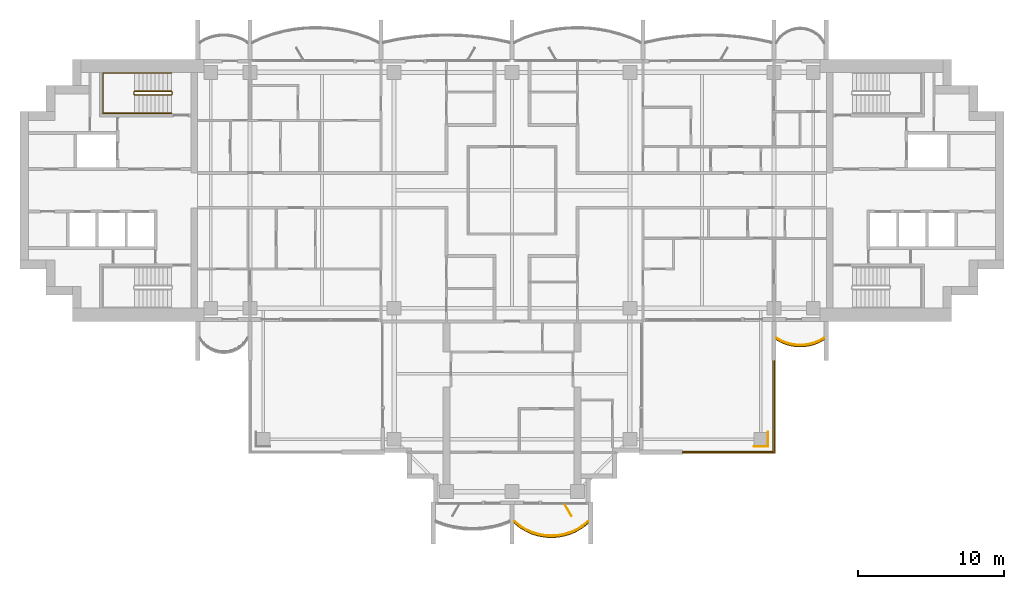
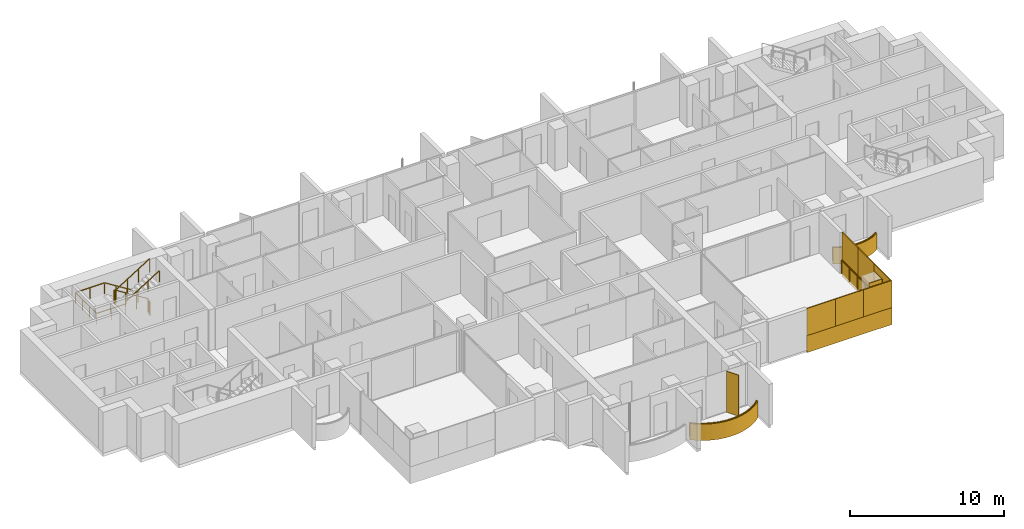
# One storey, part 16 of 18: 11 coverings, 5 railings, 1 shading device.
"""IFC4 building model written with IfcOpenShell, lengths in metres."""

from ifc_helpers import new_model, si_unit, direction, frame, origin, origin_2d, place, context, subcontext, project, spatial, polyline, rectangle, outline, extrude, material, layer, layer_set, type_object, element, save


model = new_model("IFC4")

# Units and contexts
model_context = context("Model", 3, precision=1e-05, world=origin(), true_north=direction((0.0, 1.0)))
body_context = subcontext(model_context, "Body", "Model", "MODEL_VIEW")
ifc_project = project(units=[si_unit("LENGTHUNIT", "METRE"), si_unit("AREAUNIT", "SQUARE_METRE"), si_unit("VOLUMEUNIT", "CUBIC_METRE"), si_unit("PLANEANGLEUNIT", "RADIAN"), si_unit("MASSUNIT", "GRAM", prefix="KILO")], contexts=[model_context])

# Site, building, storey
site_placement = place(None, origin())
site = spatial("IfcSite", under=ifc_project, at=site_placement, CompositionType="ELEMENT")
building_placement = place(site_placement, origin())
building = spatial("IfcBuilding", under=site, at=building_placement, Name="Perihelion Cross Residences", CompositionType="ELEMENT")
storey_placement = place(building_placement, frame((0.0, 0.0, 173.60009765625)))
storey = spatial("IfcBuildingStorey", under=building, at=storey_placement, Name="L42", CompositionType="ELEMENT", Elevation=173.60009765625)

# Coverings
ifc_material_1 = material(Name="Bronze anodised aluminium", Category="aluminium")
ifc_layer_1 = layer(ifc_material_1, 0.070068359375)
ifc_layer_set_1 = layer_set([ifc_layer_1], Name="Balcony fascia 1300")
covering_type_1 = type_object("IfcCoveringType", Name="Balcony fascia 1300", PredefinedType="CLADDING", material=ifc_layer_set_1)
covering_1_placement = place(storey_placement, frame((0.0, 0.0, -0.2001953125)))
element("IfcCovering", 1, at=covering_1_placement, inside=storey, type_object=covering_type_1, Name="Fascia BF1 L42 south tip south bay 2", PredefinedType="CLADDING", context=body_context, shape_type="SweptSolid", body=[
    extrude(outline(polyline([(0.53515625, -23.197509765625), (0.96826171875, -23.455078125), (1.401123046875, -23.642578125), (1.833984375, -23.7705078125), (2.26708984375, -23.845458984375), (2.699951171875, -23.8701171875), (3.133056640625, -23.845458984375), (3.56591796875, -23.7705078125), (3.998779296875, -23.642578125), (4.431884765625, -23.455078125), (4.86474609375, -23.197509765625), (5.25, -22.8896484375), (5.25, -22.800048828125), (4.824951171875, -23.14013671875), (4.39990234375, -23.392578125), (3.97509765625, -23.57666015625), (3.550048828125, -23.702392578125), (3.125, -23.77587890625), (2.699951171875, -23.800048828125), (2.27490234375, -23.77587890625), (1.85009765625, -23.702392578125), (1.425048828125, -23.57666015625), (1.0, -23.392578125), (0.574951171875, -23.14013671875), (0.14990234375, -22.800048828125), (0.14990234375, -22.8896484375), (0.53515625, -23.197509765625)])), origin(), (0.0, 0.0, 1.0), 1.300048828125),
])
covering_2_placement = place(storey_placement, frame((0.0, 0.0, -0.2001953125)))
element("IfcCovering", 2, at=covering_2_placement, inside=storey, type_object=covering_type_1, Name="Fascia BF1 L42 east side south bay 2", PredefinedType="CLADDING", context=body_context, shape_type="SweptSolid", body=[
    extrude(outline(polyline([(18.486328125, -10.4716796875), (18.861572265625, -10.62158203125), (19.237060546875, -10.717529296875), (19.6123046875, -10.76416015625), (19.987548828125, -10.76416015625), (20.363037109375, -10.717529296875), (20.73828125, -10.62158203125), (21.11376953125, -10.4716796875), (21.449951171875, -10.280517578125), (21.449951171875, -10.199951171875), (21.083251953125, -10.40869140625), (20.716552734375, -10.55517578125), (20.35009765625, -10.648681640625), (19.9833984375, -10.6943359375), (19.61669921875, -10.6943359375), (19.25, -10.648681640625), (18.88330078125, -10.55517578125), (18.5166015625, -10.40869140625), (18.14990234375, -10.199951171875), (18.14990234375, -10.280517578125), (18.486328125, -10.4716796875)])), origin(), (0.0, 0.0, 1.0), 1.300048828125),
])

# Railings
ifc_material_2 = material(Name="Bronze anodised aluminium", Category="aluminium")
railing_type_1 = type_object("IfcRailingType", Name="Balcony guard 1100", PredefinedType="GUARDRAIL", material=ifc_material_2)
railing_1_placement = place(storey_placement, frame((0.175048828125, -22.739990234375, 0.0)))
element("IfcRailing", 3, at=railing_1_placement, inside=storey, type_object=railing_type_1, Name="Guard GU1 L42 south tip south bay 2 balcony", PredefinedType="GUARDRAIL", context=body_context, shape_type="SweptSolid", body=[
    extrude(rectangle(XDim=0.048095703125, YDim=0.048095703125, at=origin_2d()), frame((0.0, 0.0, 1.076171875), z_axis=(0.761778647315, -0.647837396648, 0.0), x_axis=(0.647837396648, 0.761778647315, 0.0)), (0.0, 0.0, 1.0), 0.52490234375),
    extrude(rectangle(XDim=0.048095703125, YDim=0.048095703125, at=origin_2d()), frame((0.39990234375, -0.340087890625, 1.076171875), z_axis=(0.859576918062, -0.511006381501, 0.0), x_axis=(0.511006381501, 0.859576918062, 0.0)), (0.0, 0.0, 1.0), 0.494384765625),
    extrude(rectangle(XDim=0.048095703125, YDim=0.048095703125, at=origin_2d()), frame((0.824951171875, -0.5927734375, 1.076171875), z_axis=(0.917831080218, -0.396971167952, 0.0), x_axis=(0.396971167952, 0.917831080218, 0.0)), (0.0, 0.0, 1.0), 0.463134765625),
    extrude(rectangle(XDim=0.048095703125, YDim=0.048095703125, at=origin_2d()), frame((1.25, -0.776611328125, 1.076171875), z_axis=(0.958925815697, -0.283656975924, 0.0), x_axis=(0.283656975924, 0.958925815697, 0.0)), (0.0, 0.0, 1.0), 0.443359375),
    extrude(rectangle(XDim=0.048095703125, YDim=0.048095703125, at=origin_2d()), frame((1.675048828125, -0.90234375, 1.076171875), z_axis=(0.985365142702, -0.170456843651, 0.0), x_axis=(0.170456843651, 0.985365142702, 0.0)), (0.0, 0.0, 1.0), 0.43115234375),
    extrude(rectangle(XDim=0.048095703125, YDim=0.048095703125, at=origin_2d()), frame((2.099853515625, -0.975830078125, 1.076171875), z_axis=(0.998387160354, -0.056772159032, 0.0), x_axis=(0.056772159032, 0.998387160354, 0.0)), (0.0, 0.0, 1.0), 0.42578125),
    extrude(rectangle(XDim=0.048095703125, YDim=0.048095703125, at=origin_2d()), frame((2.52490234375, -1.0, 1.076171875), z_axis=(0.998387160354, 0.056772159032, 0.0), x_axis=(-0.056772159032, 0.998387160354, 0.0)), (0.0, 0.0, 1.0), 0.42578125),
    extrude(rectangle(XDim=0.048095703125, YDim=0.048095703125, at=origin_2d()), frame((2.949951171875, -0.975830078125, 1.076171875), z_axis=(0.985381583142, 0.17036177859, 0.0), x_axis=(-0.17036177859, 0.985381583142, 0.0)), (0.0, 0.0, 1.0), 0.431396484375),
    extrude(rectangle(XDim=0.048095703125, YDim=0.048095703125, at=origin_2d()), frame((3.375, -0.90234375, 1.076171875), z_axis=(0.958925815697, 0.283656975924, 0.0), x_axis=(-0.283656975924, 0.958925815697, 0.0)), (0.0, 0.0, 1.0), 0.443359375),
    extrude(rectangle(XDim=0.048095703125, YDim=0.048095703125, at=origin_2d()), frame((3.800048828125, -0.776611328125, 1.076171875), z_axis=(0.917747942671, 0.397163333811, 0.0), x_axis=(-0.397163333811, 0.917747942671, 0.0)), (0.0, 0.0, 1.0), 0.462890625),
    extrude(rectangle(XDim=0.048095703125, YDim=0.048095703125, at=origin_2d()), frame((4.224853515625, -0.5927734375, 1.076171875), z_axis=(0.859576918062, 0.511006381501, 0.0), x_axis=(-0.511006381501, 0.859576918062, 0.0)), (0.0, 0.0, 1.0), 0.494384765625),
    extrude(rectangle(XDim=0.048095703125, YDim=0.048095703125, at=origin_2d()), frame((4.64990234375, -0.340087890625, 1.076171875), z_axis=(0.761973728849, 0.647607934281, 0.0), x_axis=(-0.647607934281, 0.761973728849, 0.0)), (0.0, 0.0, 1.0), 0.525146484375),
    extrude(rectangle(XDim=0.0419921875, YDim=0.0419921875, at=origin_2d()), origin(), (0.0, 0.0, 1.0), 1.052001953125),
    extrude(rectangle(XDim=0.0419921875, YDim=0.0419921875, at=origin_2d()), frame((0.39990234375, -0.340087890625, 0.0)), (0.0, 0.0, 1.0), 1.052001953125),
    extrude(rectangle(XDim=0.0419921875, YDim=0.0419921875, at=origin_2d()), frame((0.824951171875, -0.5927734375, 0.0)), (0.0, 0.0, 1.0), 1.052001953125),
    extrude(rectangle(XDim=0.0419921875, YDim=0.0419921875, at=origin_2d()), frame((1.25, -0.776611328125, 0.0)), (0.0, 0.0, 1.0), 1.052001953125),
    extrude(rectangle(XDim=0.0419921875, YDim=0.0419921875, at=origin_2d()), frame((1.675048828125, -0.90234375, 0.0)), (0.0, 0.0, 1.0), 1.052001953125),
    extrude(rectangle(XDim=0.0419921875, YDim=0.0419921875, at=origin_2d()), frame((2.099853515625, -0.975830078125, 0.0)), (0.0, 0.0, 1.0), 1.052001953125),
    extrude(rectangle(XDim=0.0419921875, YDim=0.0419921875, at=origin_2d()), frame((2.52490234375, -1.0, 0.0)), (0.0, 0.0, 1.0), 1.052001953125),
    extrude(rectangle(XDim=0.0419921875, YDim=0.0419921875, at=origin_2d()), frame((2.949951171875, -0.975830078125, 0.0)), (0.0, 0.0, 1.0), 1.052001953125),
    extrude(rectangle(XDim=0.0419921875, YDim=0.0419921875, at=origin_2d()), frame((3.375, -0.90234375, 0.0)), (0.0, 0.0, 1.0), 1.052001953125),
    extrude(rectangle(XDim=0.0419921875, YDim=0.0419921875, at=origin_2d()), frame((3.800048828125, -0.776611328125, 0.0)), (0.0, 0.0, 1.0), 1.052001953125),
    extrude(rectangle(XDim=0.0419921875, YDim=0.0419921875, at=origin_2d()), frame((4.224853515625, -0.5927734375, 0.0)), (0.0, 0.0, 1.0), 1.052001953125),
    extrude(rectangle(XDim=0.0419921875, YDim=0.0419921875, at=origin_2d()), frame((4.64990234375, -0.340087890625, 0.0)), (0.0, 0.0, 1.0), 1.052001953125),
    extrude(rectangle(XDim=0.0419921875, YDim=0.0419921875, at=origin_2d()), frame((5.050048828125, 0.0, 0.0)), (0.0, 0.0, 1.0), 1.052001953125),
])
railing_2_placement = place(storey_placement, frame((18.175048828125, -10.139892578125, 0.0)))
element("IfcRailing", 4, at=railing_2_placement, inside=storey, type_object=railing_type_1, Name="Guard GU1 L42 east side south bay 2 balcony", PredefinedType="GUARDRAIL", context=body_context, shape_type="SweptSolid", body=[
    extrude(rectangle(XDim=0.048095703125, YDim=0.048095703125, at=origin_2d()), frame((0.0, 0.0, 1.076171875), z_axis=(0.853266756821, -0.52147467983, 0.0), x_axis=(0.52147467983, 0.853266756821, 0.0)), (0.0, 0.0, 1.0), 0.400390625),
    extrude(rectangle(XDim=0.048095703125, YDim=0.048095703125, at=origin_2d()), frame((0.341552734375, -0.208740234375, 1.076171875), z_axis=(0.928647151248, -0.37096424151, 0.0), x_axis=(0.37096424151, 0.928647151248, 0.0)), (0.0, 0.0, 1.0), 0.394775390625),
    extrude(rectangle(XDim=0.048095703125, YDim=0.048095703125, at=origin_2d()), frame((0.708251953125, -0.355224609375, 1.076171875), z_axis=(0.968993337782, -0.247086849781, 0.0), x_axis=(0.247086849781, 0.968993337782, 0.0)), (0.0, 0.0, 1.0), 0.37841796875),
    extrude(rectangle(XDim=0.048095703125, YDim=0.048095703125, at=origin_2d()), frame((1.074951171875, -0.44873046875, 1.076171875), z_axis=(0.992338742457, -0.123546834114, 0.0), x_axis=(0.123546834114, 0.992338742457, 0.0)), (0.0, 0.0, 1.0), 0.36962890625),
    extrude(rectangle(XDim=0.048095703125, YDim=0.048095703125, at=origin_2d()), frame((1.441650390625, -0.494384765625, 1.076171875), z_axis=(1.0, 0.0, 0.0), x_axis=(0.0, 1.0, 0.0)), (0.0, 0.0, 1.0), 0.36669921875),
    extrude(rectangle(XDim=0.048095703125, YDim=0.048095703125, at=origin_2d()), frame((1.808349609375, -0.494384765625, 1.076171875), z_axis=(0.992338742457, 0.123546834114, 0.0), x_axis=(-0.123546834114, 0.992338742457, 0.0)), (0.0, 0.0, 1.0), 0.36962890625),
    extrude(rectangle(XDim=0.048095703125, YDim=0.048095703125, at=origin_2d()), frame((2.175048828125, -0.44873046875, 1.076171875), z_axis=(0.968953914071, 0.247241405123, 0.0), x_axis=(-0.247241405123, 0.968953914071, 0.0)), (0.0, 0.0, 1.0), 0.378173828125),
    extrude(rectangle(XDim=0.048095703125, YDim=0.048095703125, at=origin_2d()), frame((2.54150390625, -0.355224609375, 1.076171875), z_axis=(0.928647151248, 0.37096424151, 0.0), x_axis=(-0.37096424151, 0.928647151248, 0.0)), (0.0, 0.0, 1.0), 0.394775390625),
    extrude(rectangle(XDim=0.048095703125, YDim=0.048095703125, at=origin_2d()), frame((2.908203125, -0.208740234375, 1.076171875), z_axis=(0.853432484338, 0.521203410078, 0.0), x_axis=(-0.521203410078, 0.853432484338, 0.0)), (0.0, 0.0, 1.0), 0.400390625),
    extrude(rectangle(XDim=0.0419921875, YDim=0.0419921875, at=origin_2d()), origin(), (0.0, 0.0, 1.0), 1.052001953125),
    extrude(rectangle(XDim=0.0419921875, YDim=0.0419921875, at=origin_2d()), frame((0.341552734375, -0.208740234375, 0.0)), (0.0, 0.0, 1.0), 1.052001953125),
    extrude(rectangle(XDim=0.0419921875, YDim=0.0419921875, at=origin_2d()), frame((0.708251953125, -0.355224609375, 0.0)), (0.0, 0.0, 1.0), 1.052001953125),
    extrude(rectangle(XDim=0.0419921875, YDim=0.0419921875, at=origin_2d()), frame((1.074951171875, -0.44873046875, 0.0)), (0.0, 0.0, 1.0), 1.052001953125),
    extrude(rectangle(XDim=0.0419921875, YDim=0.0419921875, at=origin_2d()), frame((1.441650390625, -0.494384765625, 0.0)), (0.0, 0.0, 1.0), 1.052001953125),
    extrude(rectangle(XDim=0.0419921875, YDim=0.0419921875, at=origin_2d()), frame((1.808349609375, -0.494384765625, 0.0)), (0.0, 0.0, 1.0), 1.052001953125),
    extrude(rectangle(XDim=0.0419921875, YDim=0.0419921875, at=origin_2d()), frame((2.175048828125, -0.44873046875, 0.0)), (0.0, 0.0, 1.0), 1.052001953125),
    extrude(rectangle(XDim=0.0419921875, YDim=0.0419921875, at=origin_2d()), frame((2.54150390625, -0.355224609375, 0.0)), (0.0, 0.0, 1.0), 1.052001953125),
    extrude(rectangle(XDim=0.0419921875, YDim=0.0419921875, at=origin_2d()), frame((2.908203125, -0.208740234375, 0.0)), (0.0, 0.0, 1.0), 1.052001953125),
    extrude(rectangle(XDim=0.0419921875, YDim=0.0419921875, at=origin_2d()), frame((3.25, 0.0, 0.0)), (0.0, 0.0, 1.0), 1.052001953125),
])
railing_3_placement = place(storey_placement, frame((17.93994140625, -11.739990234375, 0.0)))
element("IfcRailing", 5, at=railing_3_placement, inside=storey, type_object=railing_type_1, Name="Guard GU1 L42 pocket south-east 1", PredefinedType="GUARDRAIL", context=body_context, shape_type="SweptSolid", body=[
    extrude(rectangle(XDim=0.048095703125, YDim=0.048095703125, at=origin_2d()), frame((0.0, 0.0, 1.076171875), z_axis=(0.0, -1.0, 0.0), x_axis=(1.0, 0.0, 0.0)), (0.0, 0.0, 1.0), 6.199951171875),
    extrude(rectangle(XDim=0.048095703125, YDim=0.048095703125, at=origin_2d()), frame((0.0, -6.199951171875, 1.076171875), z_axis=(-1.0, 0.0, 0.0), x_axis=(0.0, -1.0, 0.0)), (0.0, 0.0, 1.0), 6.199951171875),
    extrude(rectangle(XDim=0.0419921875, YDim=0.0419921875, at=origin_2d()), origin(), (0.0, 0.0, 1.0), 1.052001953125),
    extrude(rectangle(XDim=0.0419921875, YDim=0.0419921875, at=origin_2d()), frame((0.0, -1.033203125, 0.0)), (0.0, 0.0, 1.0), 1.052001953125),
    extrude(rectangle(XDim=0.0419921875, YDim=0.0419921875, at=origin_2d()), frame((0.0, -2.066650390625, 0.0)), (0.0, 0.0, 1.0), 1.052001953125),
    extrude(rectangle(XDim=0.0419921875, YDim=0.0419921875, at=origin_2d()), frame((0.0, -3.10009765625, 0.0)), (0.0, 0.0, 1.0), 1.052001953125),
    extrude(rectangle(XDim=0.0419921875, YDim=0.0419921875, at=origin_2d()), frame((0.0, -4.13330078125, 0.0)), (0.0, 0.0, 1.0), 1.052001953125),
    extrude(rectangle(XDim=0.0419921875, YDim=0.0419921875, at=origin_2d()), frame((0.0, -5.16650390625, 0.0)), (0.0, 0.0, 1.0), 1.052001953125),
    extrude(rectangle(XDim=0.0419921875, YDim=0.0419921875, at=origin_2d()), frame((0.0, -6.199951171875, 0.0)), (0.0, 0.0, 1.0), 1.052001953125),
    extrude(rectangle(XDim=0.0419921875, YDim=0.0419921875, at=origin_2d()), frame((-1.033203125, -6.199951171875, 0.0)), (0.0, 0.0, 1.0), 1.052001953125),
    extrude(rectangle(XDim=0.0419921875, YDim=0.0419921875, at=origin_2d()), frame((-2.066650390625, -6.199951171875, 0.0)), (0.0, 0.0, 1.0), 1.052001953125),
    extrude(rectangle(XDim=0.0419921875, YDim=0.0419921875, at=origin_2d()), frame((-3.10009765625, -6.199951171875, 0.0)), (0.0, 0.0, 1.0), 1.052001953125),
    extrude(rectangle(XDim=0.0419921875, YDim=0.0419921875, at=origin_2d()), frame((-4.13330078125, -6.199951171875, 0.0)), (0.0, 0.0, 1.0), 1.052001953125),
    extrude(rectangle(XDim=0.0419921875, YDim=0.0419921875, at=origin_2d()), frame((-5.16650390625, -6.199951171875, 0.0)), (0.0, 0.0, 1.0), 1.052001953125),
    extrude(rectangle(XDim=0.0419921875, YDim=0.0419921875, at=origin_2d()), frame((-6.199951171875, -6.199951171875, 0.0)), (0.0, 0.0, 1.0), 1.052001953125),
])

# Coverings
ifc_material_3 = material(Name="Bronze anodised aluminium", Category="aluminium")
ifc_layer_2 = layer(ifc_material_3, 0.0400390625)
ifc_layer_set_2 = layer_set([ifc_layer_2], Name="Bronze column casing 40")
covering_type_2 = type_object("IfcCoveringType", Name="Bronze column casing 40", PredefinedType="CLADDING", material=ifc_layer_set_2)
covering_3_placement = place(storey_placement, frame((17.594970703125, -17.10009765625, -0.25), z_axis=(0.0, 0.0, 1.0), x_axis=(1.0, 0.0, 0.0)))
element("IfcCovering", 6, at=covering_3_placement, inside=storey, type_object=covering_type_2, Name="Cladding CC1 L42 casing east-west no. 2", PredefinedType="CLADDING", context=body_context, shape_type="SweptSolid", body=[
    extrude(rectangle(XDim=0.0400390625, YDim=1.030029296875, at=origin_2d()), origin(), (0.0, 0.0, 1.0), 3.5),
])
covering_4_placement = place(storey_placement, frame((17.10009765625, -17.594970703125, -0.25), z_axis=(0.0, 0.0, 1.0), x_axis=(1.0, 0.0, 0.0)))
element("IfcCovering", 7, at=covering_4_placement, inside=storey, type_object=covering_type_2, Name="Cladding CC1 L42 casing north-south no. 2", PredefinedType="CLADDING", context=body_context, shape_type="SweptSolid", body=[
    extrude(rectangle(XDim=0.949951171875, YDim=0.0400390625, at=origin_2d()), origin(), (0.0, 0.0, 1.0), 3.5),
])

# Shading device
ifc_material_4 = material(Name="Bronze anodised aluminium", Category="aluminium")
ifc_layer_3 = layer(ifc_material_4, 0.050048828125)
ifc_layer_set_3 = layer_set([ifc_layer_3], Name="Bronze fin 900")
shading_device_type = type_object("IfcShadingDeviceType", Name="Bronze fin 900", PredefinedType="USERDEFINED", material=ifc_layer_set_3)
shading_device_placement = place(storey_placement, frame((3.862548828125, -21.98974609375, 0.0), z_axis=(0.0, 0.0, 1.0), x_axis=(0.5, -0.866025403784, 0.0)))
element("IfcShadingDevice", 8, at=shading_device_placement, inside=storey, type_object=shading_device_type, Name="Fin FN1 L42 south tip south bay 2", ObjectType="FIN", PredefinedType="USERDEFINED", context=body_context, shape_type="SweptSolid", body=[
    extrude(rectangle(XDim=0.89990234375, YDim=0.050048828125, at=origin_2d()), origin(), (0.0, 0.0, 1.0), 3.25),
])

# Coverings
ifc_material_5 = material(Name="Bronze anodised aluminium", Category="aluminium")
ifc_layer_4 = layer(ifc_material_5, 0.070068359375)
ifc_layer_set_4 = layer_set([ifc_layer_4], Name="Pocket fascia 1350")
covering_type_3 = type_object("IfcCoveringType", Name="Pocket fascia 1350", PredefinedType="CLADDING", material=ifc_layer_set_4)
covering_5_placement = place(storey_placement, frame((0.0, 0.0, -0.25)))
element("IfcCovering", 9, at=covering_5_placement, inside=storey, type_object=covering_type_3, Name="Fascia BF2 L42 pocket south-east 3", PredefinedType="CLADDING", context=body_context, shape_type="SweptSolid", body=[
    extrude(outline(polyline([(18.070068359375, -18.070068359375), (18.070068359375, -11.699951171875), (18.0, -11.699951171875), (18.0, -18.0), (11.699951171875, -18.0), (11.699951171875, -18.070068359375), (18.070068359375, -18.070068359375)])), origin(), (0.0, 0.0, 1.0), 1.349853515625),
])
ifc_material_6 = material(Name="Bronze perforated aluminium", Category="aluminium")
ifc_layer_5 = layer(ifc_material_6, 0.070068359375)
ifc_layer_set_5 = layer_set([ifc_layer_5], Name="Pocket solar screen, bronze perforated")
covering_type_4 = type_object("IfcCoveringType", Name="Pocket solar screen, bronze perforated", PredefinedType="CLADDING", material=ifc_layer_set_5)
covering_6_placement = place(storey_placement, frame((0.0, 0.0, 1.099853515625)))
element("IfcCovering", 10, at=covering_6_placement, inside=storey, type_object=covering_type_4, Name="Solar screen PS1 L42 pocket south-east no. 1", PredefinedType="CLADDING", context=body_context, shape_type="SweptSolid", body=[
    extrude(outline(polyline([(18.070068359375, -18.0), (18.070068359375, -15.89990234375), (18.0, -15.89990234375), (18.0, -18.0), (18.070068359375, -18.0)])), origin(), (0.0, 0.0, 1.0), 2.150146484375),
])
covering_7_placement = place(storey_placement, frame((0.0, 0.0, 1.099853515625)))
element("IfcCovering", 11, at=covering_7_placement, inside=storey, type_object=covering_type_4, Name="Solar screen PS1 L42 pocket south-east no. 2", PredefinedType="CLADDING", context=body_context, shape_type="SweptSolid", body=[
    extrude(outline(polyline([(18.070068359375, -15.89990234375), (18.070068359375, -13.800048828125), (18.0, -13.800048828125), (18.0, -15.89990234375), (18.070068359375, -15.89990234375)])), origin(), (0.0, 0.0, 1.0), 2.150146484375),
])
covering_8_placement = place(storey_placement, frame((0.0, 0.0, 1.099853515625)))
element("IfcCovering", 12, at=covering_8_placement, inside=storey, type_object=covering_type_4, Name="Solar screen PS1 L42 pocket south-east no. 3", PredefinedType="CLADDING", context=body_context, shape_type="SweptSolid", body=[
    extrude(outline(polyline([(18.070068359375, -13.800048828125), (18.070068359375, -11.699951171875), (18.0, -11.699951171875), (18.0, -13.800048828125), (18.070068359375, -13.800048828125)])), origin(), (0.0, 0.0, 1.0), 2.150146484375),
])
covering_9_placement = place(storey_placement, frame((0.0, 0.0, 1.099853515625)))
element("IfcCovering", 13, at=covering_9_placement, inside=storey, type_object=covering_type_4, Name="Solar screen PS1 L42 pocket south-east no. 4", PredefinedType="CLADDING", context=body_context, shape_type="SweptSolid", body=[
    extrude(outline(polyline([(13.8232421875, -18.070068359375), (13.8232421875, -18.0), (11.699951171875, -18.0), (11.699951171875, -18.070068359375), (13.8232421875, -18.070068359375)])), origin(), (0.0, 0.0, 1.0), 2.150146484375),
])
covering_10_placement = place(storey_placement, frame((0.0, 0.0, 1.099853515625)))
element("IfcCovering", 14, at=covering_10_placement, inside=storey, type_object=covering_type_4, Name="Solar screen PS1 L42 pocket south-east no. 5", PredefinedType="CLADDING", context=body_context, shape_type="SweptSolid", body=[
    extrude(outline(polyline([(15.94677734375, -18.070068359375), (15.94677734375, -18.0), (13.8232421875, -18.0), (13.8232421875, -18.070068359375), (15.94677734375, -18.070068359375)])), origin(), (0.0, 0.0, 1.0), 2.150146484375),
])
covering_11_placement = place(storey_placement, frame((0.0, 0.0, 1.099853515625)))
element("IfcCovering", 15, at=covering_11_placement, inside=storey, type_object=covering_type_4, Name="Solar screen PS1 L42 pocket south-east no. 6", PredefinedType="CLADDING", context=body_context, shape_type="SweptSolid", body=[
    extrude(outline(polyline([(18.070068359375, -18.070068359375), (18.070068359375, -18.0), (15.94677734375, -18.0), (15.94677734375, -18.070068359375), (18.070068359375, -18.070068359375)])), origin(), (0.0, 0.0, 1.0), 2.150146484375),
])

# Railings
ifc_material_7 = material(Name="Stainless steel", Category="steel")
railing_type_2 = type_object("IfcRailingType", Name="Stair guard 1100", PredefinedType="GUARDRAIL", material=ifc_material_7)
railing_4_placement = place(storey_placement, frame((-23.35009765625, 6.60009765625, 0.0)))
element("IfcRailing", 16, at=railing_4_placement, inside=storey, type_object=railing_type_2, Name="L42 ST-W1 stair guard 1", PredefinedType="GUARDRAIL", context=body_context, shape_type="SweptSolid", body=[
    extrude(rectangle(XDim=0.048095703125, YDim=0.048095703125, at=origin_2d()), frame((0.0, 0.0, 1.076171875), z_axis=(0.0, 1.0, 0.0), x_axis=(-1.0, 0.0, 0.0)), (0.0, 0.0, 1.0), 0.14990234375),
    extrude(rectangle(XDim=0.048095703125, YDim=0.048095703125, at=origin_2d()), frame((0.0, 0.14990234375, 1.076171875), z_axis=(-0.264179342666, 0.265474339444, 0.927217692888), x_axis=(-0.708833529934, -0.705375805398, 0.0)), (0.0, 0.0, 1.0), 0.1884765625),
    extrude(rectangle(XDim=0.048095703125, YDim=0.048095703125, at=origin_2d()), frame((-0.0498046875, 0.199951171875, 1.2509765625), z_axis=(-0.847970611238, 0.0, 0.530043245855), x_axis=(0.0, -1.0, 0.0)), (0.0, 0.0, 1.0), 2.971923828125),
    extrude(rectangle(XDim=0.048095703125, YDim=0.048095703125, at=origin_2d()), frame((-2.56982421875, 0.199951171875, 2.826171875), z_axis=(-0.707106781187, -0.707106781187, 0.0), x_axis=(0.707106781187, -0.707106781187, 0.0)), (0.0, 0.0, 1.0), 0.07080078125),
    extrude(rectangle(XDim=0.048095703125, YDim=0.048095703125, at=origin_2d()), frame((-2.619873046875, 0.14990234375, 2.826171875), z_axis=(0.0, -1.0, 0.0), x_axis=(1.0, 0.0, 0.0)), (0.0, 0.0, 1.0), 0.14990234375),
    extrude(rectangle(XDim=0.048095703125, YDim=0.048095703125, at=origin_2d()), frame((-2.619873046875, 0.0, 2.826171875), z_axis=(0.265383341853, -0.265383341853, 0.926899867156), x_axis=(0.707106781187, 0.707106781187, 0.0)), (0.0, 0.0, 1.0), 0.1884765625),
    extrude(rectangle(XDim=0.048095703125, YDim=0.048095703125, at=origin_2d()), frame((-2.56982421875, -0.050048828125, 3.0009765625), z_axis=(0.847970611238, 0.0, 0.530043245855), x_axis=(0.0, 1.0, 0.0)), (0.0, 0.0, 1.0), 2.971923828125),
    extrude(rectangle(XDim=0.0419921875, YDim=0.0419921875, at=origin_2d()), origin(), (0.0, 0.0, 1.0), 1.052001953125),
    extrude(rectangle(XDim=0.0419921875, YDim=0.0419921875, at=origin_2d()), frame((0.0, 0.14990234375, 0.0)), (0.0, 0.0, 1.0), 1.052001953125),
    extrude(rectangle(XDim=0.0419921875, YDim=0.0419921875, at=origin_2d()), frame((-0.0498046875, 0.199951171875, 0.1748046875)), (0.0, 0.0, 1.0), 1.052001953125),
    extrude(rectangle(XDim=0.0419921875, YDim=0.0419921875, at=origin_2d()), frame((-0.889892578125, 0.199951171875, 0.699951171875)), (0.0, 0.0, 1.0), 1.052001953125),
    extrude(rectangle(XDim=0.0419921875, YDim=0.0419921875, at=origin_2d()), frame((-1.729736328125, 0.199951171875, 1.224853515625)), (0.0, 0.0, 1.0), 1.052001953125),
    extrude(rectangle(XDim=0.0419921875, YDim=0.0419921875, at=origin_2d()), frame((-2.56982421875, 0.199951171875, 1.75)), (0.0, 0.0, 1.0), 1.052001953125),
    extrude(rectangle(XDim=0.0419921875, YDim=0.0419921875, at=origin_2d()), frame((-2.619873046875, 0.14990234375, 1.75)), (0.0, 0.0, 1.0), 1.052001953125),
    extrude(rectangle(XDim=0.0419921875, YDim=0.0419921875, at=origin_2d()), frame((-2.619873046875, 0.0, 1.75)), (0.0, 0.0, 1.0), 1.052001953125),
    extrude(rectangle(XDim=0.0419921875, YDim=0.0419921875, at=origin_2d()), frame((-2.56982421875, -0.050048828125, 1.9248046875)), (0.0, 0.0, 1.0), 1.052001953125),
    extrude(rectangle(XDim=0.0419921875, YDim=0.0419921875, at=origin_2d()), frame((-1.729736328125, -0.050048828125, 2.449951171875)), (0.0, 0.0, 1.0), 1.052001953125),
    extrude(rectangle(XDim=0.0419921875, YDim=0.0419921875, at=origin_2d()), frame((-0.889892578125, -0.050048828125, 2.974853515625)), (0.0, 0.0, 1.0), 1.052001953125),
    extrude(rectangle(XDim=0.0419921875, YDim=0.0419921875, at=origin_2d()), frame((-0.0498046875, -0.050048828125, 3.5)), (0.0, 0.0, 1.0), 1.052001953125),
])
ifc_material_8 = material(Name="Stainless steel", Category="steel")
railing_type_3 = type_object("IfcRailingType", Name="Stair handrail 900", PredefinedType="HANDRAIL", material=ifc_material_8)
railing_5_placement = place(storey_placement, frame((-23.39990234375, 8.050048828125, 0.1748046875)))
element("IfcRailing", 17, at=railing_5_placement, inside=storey, type_object=railing_type_3, Name="L42 ST-W1 stair handrail 1", PredefinedType="HANDRAIL", context=body_context, shape_type="SweptSolid", body=[
    extrude(rectangle(XDim=0.048095703125, YDim=0.048095703125, at=origin_2d()), frame((0.0, 0.0, 0.8759765625), z_axis=(-0.847970611238, 0.0, 0.530043245855), x_axis=(0.0, -1.0, 0.0)), (0.0, 0.0, 1.0), 2.971923828125),
    extrude(rectangle(XDim=0.048095703125, YDim=0.048095703125, at=origin_2d()), frame((-2.52001953125, 0.0, 2.451171875), z_axis=(-1.0, 0.0, 0.0), x_axis=(0.0, -1.0, 0.0)), (0.0, 0.0, 1.0), 2.18017578125),
    extrude(rectangle(XDim=0.048095703125, YDim=0.048095703125, at=origin_2d()), frame((-4.7001953125, 0.0, 2.451171875), z_axis=(0.0, -1.0, 0.0), x_axis=(1.0, 0.0, 0.0)), (0.0, 0.0, 1.0), 2.75),
    extrude(rectangle(XDim=0.048095703125, YDim=0.048095703125, at=origin_2d()), frame((-4.7001953125, -2.75, 2.451171875), z_axis=(1.0, 0.0, 0.0), x_axis=(0.0, 1.0, 0.0)), (0.0, 0.0, 1.0), 2.18017578125),
    extrude(rectangle(XDim=0.048095703125, YDim=0.048095703125, at=origin_2d()), frame((-2.52001953125, -2.75, 2.451171875), z_axis=(0.0, 0.0, 1.0), x_axis=(1.0, 0.0, 0.0)), (0.0, 0.0, 1.0), 0.1748046875),
    extrude(rectangle(XDim=0.048095703125, YDim=0.048095703125, at=origin_2d()), frame((-2.52001953125, -2.75, 2.6259765625), z_axis=(0.847970611238, 0.0, 0.530043245855), x_axis=(0.0, 1.0, 0.0)), (0.0, 0.0, 1.0), 2.971923828125),
    extrude(rectangle(XDim=0.0419921875, YDim=0.0419921875, at=origin_2d()), origin(), (0.0, 0.0, 1.0), 0.851806640625),
    extrude(rectangle(XDim=0.0419921875, YDim=0.0419921875, at=origin_2d()), frame((-0.840087890625, 0.0, 0.525146484375)), (0.0, 0.0, 1.0), 0.851806640625),
    extrude(rectangle(XDim=0.0419921875, YDim=0.0419921875, at=origin_2d()), frame((-1.679931640625, 0.0, 1.050048828125)), (0.0, 0.0, 1.0), 0.851806640625),
    extrude(rectangle(XDim=0.0419921875, YDim=0.0419921875, at=origin_2d()), frame((-2.52001953125, 0.0, 1.5751953125)), (0.0, 0.0, 1.0), 0.851806640625),
    extrude(rectangle(XDim=0.0419921875, YDim=0.0419921875, at=origin_2d()), frame((-3.610107421875, 0.0, 1.5751953125)), (0.0, 0.0, 1.0), 0.851806640625),
    extrude(rectangle(XDim=0.0419921875, YDim=0.0419921875, at=origin_2d()), frame((-4.7001953125, 0.0, 1.5751953125)), (0.0, 0.0, 1.0), 0.851806640625),
    extrude(rectangle(XDim=0.0419921875, YDim=0.0419921875, at=origin_2d()), frame((-4.7001953125, -0.916748046875, 1.5751953125)), (0.0, 0.0, 1.0), 0.851806640625),
    extrude(rectangle(XDim=0.0419921875, YDim=0.0419921875, at=origin_2d()), frame((-4.7001953125, -1.833251953125, 1.5751953125)), (0.0, 0.0, 1.0), 0.851806640625),
    extrude(rectangle(XDim=0.0419921875, YDim=0.0419921875, at=origin_2d()), frame((-4.7001953125, -2.75, 1.5751953125)), (0.0, 0.0, 1.0), 0.851806640625),
    extrude(rectangle(XDim=0.0419921875, YDim=0.0419921875, at=origin_2d()), frame((-3.610107421875, -2.75, 1.5751953125)), (0.0, 0.0, 1.0), 0.851806640625),
    extrude(rectangle(XDim=0.0419921875, YDim=0.0419921875, at=origin_2d()), frame((-2.52001953125, -2.75, 1.5751953125)), (0.0, 0.0, 1.0), 0.851806640625),
    extrude(rectangle(XDim=0.0419921875, YDim=0.0419921875, at=origin_2d()), frame((-2.52001953125, -2.75, 1.75)), (0.0, 0.0, 1.0), 0.851806640625),
    extrude(rectangle(XDim=0.0419921875, YDim=0.0419921875, at=origin_2d()), frame((-1.679931640625, -2.75, 2.275146484375)), (0.0, 0.0, 1.0), 0.851806640625),
    extrude(rectangle(XDim=0.0419921875, YDim=0.0419921875, at=origin_2d()), frame((-0.840087890625, -2.75, 2.800048828125)), (0.0, 0.0, 1.0), 0.851806640625),
    extrude(rectangle(XDim=0.0419921875, YDim=0.0419921875, at=origin_2d()), frame((0.0, -2.75, 3.3251953125)), (0.0, 0.0, 1.0), 0.851806640625),
])

save(model, "model.ifc")
